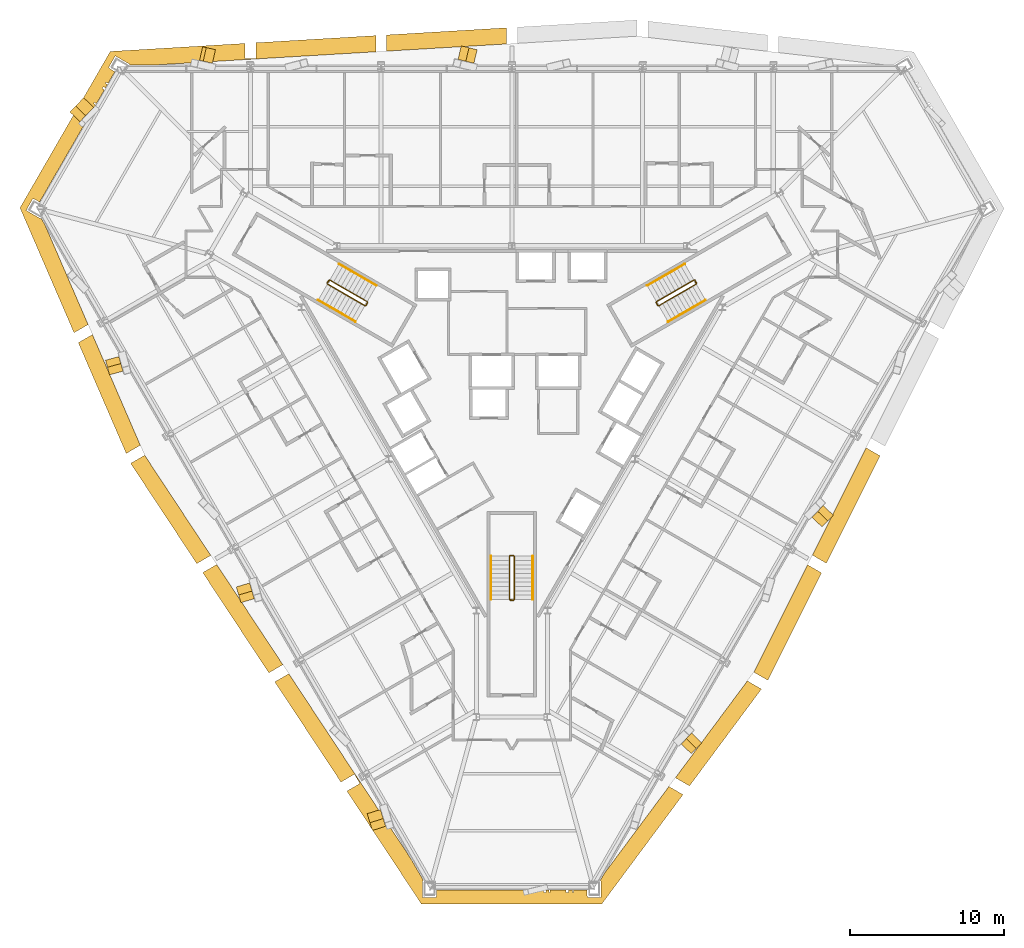
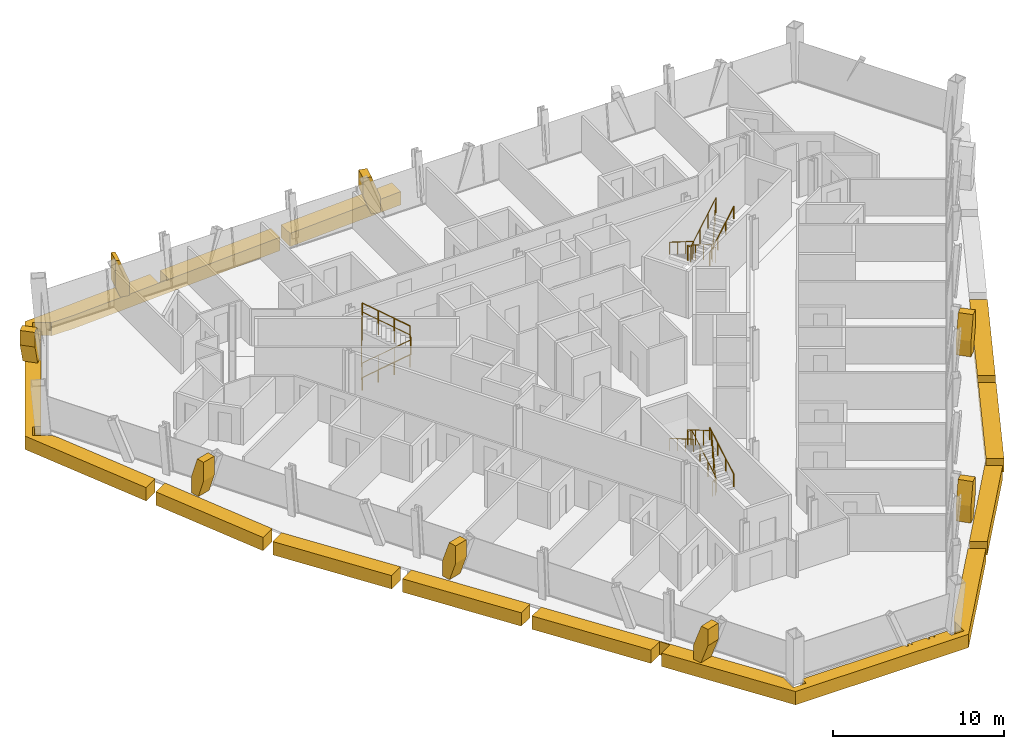
# One storey, part 14 of 15: 17 coverings, 9 railings.
"""IFC4 building model written with IfcOpenShell, lengths in metres."""

from ifc_helpers import new_model, si_unit, direction, frame, origin, origin_2d, place, context, subcontext, project, spatial, polyline, circle, outline, extrude, material, layer, layer_set, type_object, element, save


model = new_model("IFC4")

# Units and contexts
model_context = context("Model", 3, precision=1e-05, world=origin(), true_north=direction((0.0, 1.0)))
body_context = subcontext(model_context, "Body", "Model", "MODEL_VIEW")
ifc_project = project(units=[si_unit("LENGTHUNIT", "METRE"), si_unit("AREAUNIT", "SQUARE_METRE"), si_unit("VOLUMEUNIT", "CUBIC_METRE"), si_unit("PLANEANGLEUNIT", "RADIAN"), si_unit("MASSUNIT", "GRAM", prefix="KILO")], contexts=[model_context])

# Site, building, storey
site_placement = place(None, origin())
site = spatial("IfcSite", under=ifc_project, at=site_placement, CompositionType="ELEMENT")
building_placement = place(site_placement, origin())
building = spatial("IfcBuilding", under=site, at=building_placement, Name="Verrane Prism Tower", CompositionType="ELEMENT")
storey_placement = place(building_placement, frame((0.0, 0.0, 44.0)))
storey = spatial("IfcBuildingStorey", under=building, at=storey_placement, Name="L08", CompositionType="ELEMENT", Elevation=44.0)

# Railings
ifc_material_1 = material(Name="Steel A36 rail and posts, no infill", Category="steel")
railing_type_1 = type_object("IfcRailingType", Name="Stair guard 1100 steel rail and posts", PredefinedType="GUARDRAIL", material=ifc_material_1)
railing_1_placement = place(storey_placement, frame((11.78955078125, 6.97998046875, 0.16357421875)))
element("IfcRailing", 1, at=railing_1_placement, inside=storey, type_object=railing_type_1, Name="Stair 1 guard", PredefinedType="GUARDRAIL", context=body_context, shape_type="SweptSolid", body=[
    extrude(circle(Radius=0.02392578125, at=origin_2d()), frame((0.0, 0.0, 1.076171875), z_axis=(-0.747665513933, -0.431721881032, 0.504591415616), x_axis=(0.500049511043, -0.865996816683, 0.0)), (0.0, 0.0, 1.0), 3.2431640625),
    extrude(circle(Radius=0.02392578125, at=origin_2d()), frame((-2.4248046875, -1.400146484375, 2.71240234375), z_axis=(-0.259601060869, -0.965715946433, 0.0), x_axis=(0.965715946433, -0.259601060869, 0.0)), (0.0, 0.0, 1.0), 0.070556640625),
    extrude(circle(Radius=0.02392578125, at=origin_2d()), frame((-2.443115234375, -1.46826171875, 2.71240234375), z_axis=(0.499158860599, -0.866510491504, 0.0), x_axis=(0.866510491504, 0.499158860599, 0.0)), (0.0, 0.0, 1.0), 0.199951171875),
    extrude(circle(Radius=0.02392578125, at=origin_2d()), frame((-2.34326171875, -1.6416015625, 2.71240234375), z_axis=(0.383552647116, -0.102737316192, 0.917786691313), x_axis=(0.258736085224, 0.965948051503, 0.0)), (0.0, 0.0, 1.0), 0.17822265625),
    extrude(circle(Radius=0.02392578125, at=origin_2d()), frame((-2.27490234375, -1.659912109375, 2.8759765625), z_axis=(0.747665513933, 0.431721881032, 0.504591415616), x_axis=(-0.500049511043, 0.865996816683, 0.0)), (0.0, 0.0, 1.0), 3.2431640625),
    extrude(circle(Radius=0.02392578125, at=origin_2d()), frame((0.14990234375, -0.259765625, 4.5126953125), z_axis=(-0.022593669287, 0.066901613547, -0.997503734436), x_axis=(-0.947430582667, -0.3199613899, 0.0)), (0.0, 0.0, 1.0), 3.609130859375),
    extrude(circle(Radius=0.02392578125, at=origin_2d()), frame((0.068359375, -0.018310546875, 0.91259765625), z_axis=(0.499158860599, -0.866510491504, 0.0), x_axis=(0.866510491504, 0.499158860599, 0.0)), (0.0, 0.0, 1.0), 0.199951171875),
    extrude(circle(Radius=0.02099609375, at=origin_2d()), origin(), (0.0, 0.0, 1.0), 1.052001953125),
    extrude(circle(Radius=0.02099609375, at=origin_2d()), frame((-0.808349609375, -0.466796875, 0.54541015625)), (0.0, 0.0, 1.0), 1.052001953125),
    extrude(circle(Radius=0.02099609375, at=origin_2d()), frame((-1.616455078125, -0.933349609375, 1.091064453125)), (0.0, 0.0, 1.0), 1.052001953125),
    extrude(circle(Radius=0.02099609375, at=origin_2d()), frame((-2.4248046875, -1.400146484375, 1.636474609375)), (0.0, 0.0, 1.0), 1.052001953125),
    extrude(circle(Radius=0.02099609375, at=origin_2d()), frame((-2.443115234375, -1.46826171875, 1.636474609375)), (0.0, 0.0, 1.0), 1.052001953125),
    extrude(circle(Radius=0.02099609375, at=origin_2d()), frame((-2.34326171875, -1.6416015625, 1.636474609375)), (0.0, 0.0, 1.0), 1.052001953125),
    extrude(circle(Radius=0.02099609375, at=origin_2d()), frame((-2.27490234375, -1.659912109375, 1.800048828125)), (0.0, 0.0, 1.0), 1.052001953125),
    extrude(circle(Radius=0.02099609375, at=origin_2d()), frame((-1.466552734375, -1.193115234375, 2.345458984375)), (0.0, 0.0, 1.0), 1.052001953125),
    extrude(circle(Radius=0.02099609375, at=origin_2d()), frame((-0.658447265625, -0.7265625, 2.89111328125)), (0.0, 0.0, 1.0), 1.052001953125),
    extrude(circle(Radius=0.02099609375, at=origin_2d()), frame((0.14990234375, -0.259765625, 3.4365234375)), (0.0, 0.0, 1.0), 1.052001953125),
    extrude(circle(Radius=0.02099609375, at=origin_2d()), frame((0.12939453125, -0.199462890625, 2.53662109375)), (0.0, 0.0, 1.0), 1.052001953125),
    extrude(circle(Radius=0.02099609375, at=origin_2d()), frame((0.109130859375, -0.13916015625, 1.636474609375)), (0.0, 0.0, 1.0), 1.052001953125),
    extrude(circle(Radius=0.02099609375, at=origin_2d()), frame((0.0888671875, -0.07861328125, 0.736328125)), (0.0, 0.0, 1.0), 1.052001953125),
    extrude(circle(Radius=0.02099609375, at=origin_2d()), frame((0.068359375, -0.018310546875, -0.16357421875)), (0.0, 0.0, 1.0), 1.052001953125),
    extrude(circle(Radius=0.02099609375, at=origin_2d()), frame((0.168212890625, -0.191650390625, -0.16357421875)), (0.0, 0.0, 1.0), 1.052001953125),
])
railing_2_placement = place(storey_placement, frame((-11.939453125, 6.72021484375, 0.16357421875)))
element("IfcRailing", 2, at=railing_2_placement, inside=storey, type_object=railing_type_1, Name="Stair 2 guard", PredefinedType="GUARDRAIL", context=body_context, shape_type="SweptSolid", body=[
    extrude(circle(Radius=0.02392578125, at=origin_2d()), frame((0.0, 0.0, 1.076171875), z_axis=(0.747665513933, -0.431721881032, 0.504591415616), x_axis=(0.500049511043, 0.865996816683, 0.0)), (0.0, 0.0, 1.0), 3.2431640625),
    extrude(circle(Radius=0.02392578125, at=origin_2d()), frame((2.4248046875, -1.400146484375, 2.71240234375), z_axis=(0.965948051503, 0.258736085224, 0.0), x_axis=(-0.258736085224, 0.965948051503, 0.0)), (0.0, 0.0, 1.0), 0.07080078125),
    extrude(circle(Radius=0.02392578125, at=origin_2d()), frame((2.4931640625, -1.3818359375, 2.71240234375), z_axis=(0.499158860599, 0.866510491504, 0.0), x_axis=(-0.866510491504, 0.499158860599, 0.0)), (0.0, 0.0, 1.0), 0.199951171875),
    extrude(circle(Radius=0.02392578125, at=origin_2d()), frame((2.593017578125, -1.20849609375, 2.71240234375), z_axis=(-0.102791240646, 0.382383415203, 0.918268416436), x_axis=(-0.965715946433, -0.259601060869, 0.0)), (0.0, 0.0, 1.0), 0.17822265625),
    extrude(circle(Radius=0.02392578125, at=origin_2d()), frame((2.57470703125, -1.140380859375, 2.8759765625), z_axis=(-0.747665513933, 0.431721881032, 0.504591415616), x_axis=(-0.500049511043, -0.865996816683, 0.0)), (0.0, 0.0, 1.0), 3.2431640625),
    extrude(circle(Radius=0.02392578125, at=origin_2d()), frame((0.14990234375, 0.259765625, 4.5126953125), z_axis=(-0.046607763296, -0.053101733218, -0.99750083826), x_axis=(0.751567565678, -0.659656118156, 0.0)), (0.0, 0.0, 1.0), 3.609130859375),
    extrude(circle(Radius=0.02392578125, at=origin_2d()), frame((-0.018310546875, 0.068115234375, 0.91259765625), z_axis=(0.499158860599, 0.866510491504, 0.0), x_axis=(-0.866510491504, 0.499158860599, 0.0)), (0.0, 0.0, 1.0), 0.199951171875),
    extrude(circle(Radius=0.02099609375, at=origin_2d()), origin(), (0.0, 0.0, 1.0), 1.052001953125),
    extrude(circle(Radius=0.02099609375, at=origin_2d()), frame((0.808349609375, -0.466796875, 0.54541015625)), (0.0, 0.0, 1.0), 1.052001953125),
    extrude(circle(Radius=0.02099609375, at=origin_2d()), frame((1.616455078125, -0.933349609375, 1.091064453125)), (0.0, 0.0, 1.0), 1.052001953125),
    extrude(circle(Radius=0.02099609375, at=origin_2d()), frame((2.4248046875, -1.400146484375, 1.636474609375)), (0.0, 0.0, 1.0), 1.052001953125),
    extrude(circle(Radius=0.02099609375, at=origin_2d()), frame((2.4931640625, -1.3818359375, 1.636474609375)), (0.0, 0.0, 1.0), 1.052001953125),
    extrude(circle(Radius=0.02099609375, at=origin_2d()), frame((2.593017578125, -1.20849609375, 1.636474609375)), (0.0, 0.0, 1.0), 1.052001953125),
    extrude(circle(Radius=0.02099609375, at=origin_2d()), frame((2.57470703125, -1.140380859375, 1.800048828125)), (0.0, 0.0, 1.0), 1.052001953125),
    extrude(circle(Radius=0.02099609375, at=origin_2d()), frame((1.766357421875, -0.673583984375, 2.345458984375)), (0.0, 0.0, 1.0), 1.052001953125),
    extrude(circle(Radius=0.02099609375, at=origin_2d()), frame((0.958251953125, -0.20703125, 2.89111328125)), (0.0, 0.0, 1.0), 1.052001953125),
    extrude(circle(Radius=0.02099609375, at=origin_2d()), frame((0.14990234375, 0.259765625, 3.4365234375)), (0.0, 0.0, 1.0), 1.052001953125),
    extrude(circle(Radius=0.02099609375, at=origin_2d()), frame((0.10791015625, 0.2119140625, 2.53662109375)), (0.0, 0.0, 1.0), 1.052001953125),
    extrude(circle(Radius=0.02099609375, at=origin_2d()), frame((0.06591796875, 0.1640625, 1.636474609375)), (0.0, 0.0, 1.0), 1.052001953125),
    extrude(circle(Radius=0.02099609375, at=origin_2d()), frame((0.023681640625, 0.115966796875, 0.736328125)), (0.0, 0.0, 1.0), 1.052001953125),
    extrude(circle(Radius=0.02099609375, at=origin_2d()), frame((-0.018310546875, 0.068115234375, -0.16357421875)), (0.0, 0.0, 1.0), 1.052001953125),
    extrude(circle(Radius=0.02099609375, at=origin_2d()), frame((0.08154296875, 0.241455078125, -0.16357421875)), (0.0, 0.0, 1.0), 1.052001953125),
])
railing_3_placement = place(storey_placement, frame((0.14990234375, -13.699951171875, 0.16357421875)))
element("IfcRailing", 3, at=railing_3_placement, inside=storey, type_object=railing_type_1, Name="Stair 3 guard", PredefinedType="GUARDRAIL", context=body_context, shape_type="SweptSolid", body=[
    extrude(circle(Radius=0.02392578125, at=origin_2d()), frame((0.0, 0.0, 1.076171875), z_axis=(0.0, 0.863360870873, 0.504586966384), x_axis=(-1.0, 0.0, 0.0)), (0.0, 0.0, 1.0), 3.2431640625),
    extrude(circle(Radius=0.02392578125, at=origin_2d()), frame((0.0, 2.800048828125, 2.71240234375), z_axis=(-0.707106781187, 0.707106781187, 0.0), x_axis=(-0.707106781187, -0.707106781187, 0.0)), (0.0, 0.0, 1.0), 0.0703125),
    extrude(circle(Radius=0.02392578125, at=origin_2d()), frame((-0.0498046875, 2.849853515625, 2.71240234375), z_axis=(-1.0, 0.0, 0.0), x_axis=(0.0, -1.0, 0.0)), (0.0, 0.0, 1.0), 0.2001953125),
    extrude(circle(Radius=0.02392578125, at=origin_2d()), frame((-0.25, 2.849853515625, 2.71240234375), z_axis=(-0.279653641804, -0.279653641804, 0.918470294159), x_axis=(0.707106781187, -0.707106781187, 0.0)), (0.0, 0.0, 1.0), 0.177978515625),
    extrude(circle(Radius=0.02392578125, at=origin_2d()), frame((-0.2998046875, 2.800048828125, 2.8759765625), z_axis=(0.0, -0.863360870873, 0.504586966384), x_axis=(1.0, 0.0, 0.0)), (0.0, 0.0, 1.0), 3.2431640625),
    extrude(circle(Radius=0.02392578125, at=origin_2d()), frame((-0.2998046875, 0.0, 4.5126953125), z_axis=(0.069269067181, -0.013867342551, -0.997501625634), x_axis=(0.196300278283, 0.98054382908, 0.0)), (0.0, 0.0, 1.0), 3.609130859375),
    extrude(circle(Radius=0.02392578125, at=origin_2d()), frame((-0.0498046875, -0.050048828125, 0.91259765625), z_axis=(-1.0, 0.0, 0.0), x_axis=(0.0, -1.0, 0.0)), (0.0, 0.0, 1.0), 0.2001953125),
    extrude(circle(Radius=0.02099609375, at=origin_2d()), origin(), (0.0, 0.0, 1.0), 1.052001953125),
    extrude(circle(Radius=0.02099609375, at=origin_2d()), frame((0.0, 0.933349609375, 0.54541015625)), (0.0, 0.0, 1.0), 1.052001953125),
    extrude(circle(Radius=0.02099609375, at=origin_2d()), frame((0.0, 1.86669921875, 1.091064453125)), (0.0, 0.0, 1.0), 1.052001953125),
    extrude(circle(Radius=0.02099609375, at=origin_2d()), frame((0.0, 2.800048828125, 1.636474609375)), (0.0, 0.0, 1.0), 1.052001953125),
    extrude(circle(Radius=0.02099609375, at=origin_2d()), frame((-0.0498046875, 2.849853515625, 1.636474609375)), (0.0, 0.0, 1.0), 1.052001953125),
    extrude(circle(Radius=0.02099609375, at=origin_2d()), frame((-0.25, 2.849853515625, 1.636474609375)), (0.0, 0.0, 1.0), 1.052001953125),
    extrude(circle(Radius=0.02099609375, at=origin_2d()), frame((-0.2998046875, 2.800048828125, 1.800048828125)), (0.0, 0.0, 1.0), 1.052001953125),
    extrude(circle(Radius=0.02099609375, at=origin_2d()), frame((-0.2998046875, 1.86669921875, 2.345458984375)), (0.0, 0.0, 1.0), 1.052001953125),
    extrude(circle(Radius=0.02099609375, at=origin_2d()), frame((-0.2998046875, 0.933349609375, 2.89111328125)), (0.0, 0.0, 1.0), 1.052001953125),
    extrude(circle(Radius=0.02099609375, at=origin_2d()), frame((-0.2998046875, 0.0, 3.4365234375)), (0.0, 0.0, 1.0), 1.052001953125),
    extrude(circle(Radius=0.02099609375, at=origin_2d()), frame((-0.2373046875, -0.012451171875, 2.53662109375)), (0.0, 0.0, 1.0), 1.052001953125),
    extrude(circle(Radius=0.02099609375, at=origin_2d()), frame((-0.1748046875, -0.02490234375, 1.636474609375)), (0.0, 0.0, 1.0), 1.052001953125),
    extrude(circle(Radius=0.02099609375, at=origin_2d()), frame((-0.1123046875, -0.03759765625, 0.736328125)), (0.0, 0.0, 1.0), 1.052001953125),
    extrude(circle(Radius=0.02099609375, at=origin_2d()), frame((-0.0498046875, -0.050048828125, -0.16357421875)), (0.0, 0.0, 1.0), 1.052001953125),
    extrude(circle(Radius=0.02099609375, at=origin_2d()), frame((-0.25, -0.050048828125, -0.16357421875)), (0.0, 0.0, 1.0), 1.052001953125),
])
ifc_material_2 = material(Name="Steel A36 tube", Category="steel")
railing_type_2 = type_object("IfcRailingType", Name="Stair handrail 900 steel tube", PredefinedType="HANDRAIL", material=ifc_material_2)
railing_4_placement = place(storey_placement, frame((11.189453125, 8.01904296875, 0.16357421875)))
element("IfcRailing", 4, at=railing_4_placement, inside=storey, type_object=railing_type_2, Name="Stair 1 handrail", PredefinedType="HANDRAIL", context=body_context, shape_type="SweptSolid", body=[
    extrude(circle(Radius=0.02392578125, at=origin_2d()), frame((0.0, 0.0, 0.8759765625), z_axis=(-0.747689811644, -0.431660630283, 0.504607813879), x_axis=(0.49998411664, -0.866034573852, 0.0)), (0.0, 0.0, 1.0), 3.2431640625),
    extrude(circle(Radius=0.02099609375, at=origin_2d()), origin(), (0.0, 0.0, 1.0), 0.851806640625),
    extrude(circle(Radius=0.02099609375, at=origin_2d()), frame((-0.808349609375, -0.466552734375, 0.54541015625)), (0.0, 0.0, 1.0), 0.851806640625),
    extrude(circle(Radius=0.02099609375, at=origin_2d()), frame((-1.616455078125, -0.933349609375, 1.091064453125)), (0.0, 0.0, 1.0), 0.851806640625),
    extrude(circle(Radius=0.02099609375, at=origin_2d()), frame((-2.4248046875, -1.39990234375, 1.636474609375)), (0.0, 0.0, 1.0), 0.851806640625),
])
railing_5_placement = place(storey_placement, frame((10.11474609375, 4.28076171875, 1.963623046875)))
element("IfcRailing", 5, at=railing_5_placement, inside=storey, type_object=railing_type_2, Name="Stair 1 handrail", PredefinedType="HANDRAIL", context=body_context, shape_type="SweptSolid", body=[
    extrude(circle(Radius=0.02392578125, at=origin_2d()), frame((0.0, 0.0, 0.8759765625), z_axis=(0.747665513933, 0.431721881032, 0.504591415616), x_axis=(-0.500049511043, 0.865996816683, 0.0)), (0.0, 0.0, 1.0), 3.2431640625),
    extrude(circle(Radius=0.02099609375, at=origin_2d()), origin(), (0.0, 0.0, 1.0), 0.851806640625),
    extrude(circle(Radius=0.02099609375, at=origin_2d()), frame((0.808349609375, 0.466796875, 0.54541015625)), (0.0, 0.0, 1.0), 0.851806640625),
    extrude(circle(Radius=0.02099609375, at=origin_2d()), frame((1.616455078125, 0.933349609375, 1.091064453125)), (0.0, 0.0, 1.0), 0.851806640625),
    extrude(circle(Radius=0.02099609375, at=origin_2d()), frame((2.4248046875, 1.400146484375, 1.636474609375)), (0.0, 0.0, 1.0), 0.851806640625),
])
railing_6_placement = place(storey_placement, frame((-12.53955078125, 5.680908203125, 0.16357421875)))
element("IfcRailing", 6, at=railing_6_placement, inside=storey, type_object=railing_type_2, Name="Stair 2 handrail", PredefinedType="HANDRAIL", context=body_context, shape_type="SweptSolid", body=[
    extrude(circle(Radius=0.02392578125, at=origin_2d()), frame((0.0, 0.0, 0.8759765625), z_axis=(0.747665513933, -0.431721881032, 0.504591415616), x_axis=(0.500049511043, 0.865996816683, 0.0)), (0.0, 0.0, 1.0), 3.2431640625),
    extrude(circle(Radius=0.02099609375, at=origin_2d()), origin(), (0.0, 0.0, 1.0), 0.851806640625),
    extrude(circle(Radius=0.02099609375, at=origin_2d()), frame((0.808349609375, -0.466796875, 0.54541015625)), (0.0, 0.0, 1.0), 0.851806640625),
    extrude(circle(Radius=0.02099609375, at=origin_2d()), frame((1.616455078125, -0.933349609375, 1.091064453125)), (0.0, 0.0, 1.0), 0.851806640625),
    extrude(circle(Radius=0.02099609375, at=origin_2d()), frame((2.4248046875, -1.400146484375, 1.636474609375)), (0.0, 0.0, 1.0), 0.851806640625),
])
railing_7_placement = place(storey_placement, frame((-8.7646484375, 6.619140625, 1.963623046875)))
element("IfcRailing", 7, at=railing_7_placement, inside=storey, type_object=railing_type_2, Name="Stair 2 handrail", PredefinedType="HANDRAIL", context=body_context, shape_type="SweptSolid", body=[
    extrude(circle(Radius=0.02392578125, at=origin_2d()), frame((0.0, 0.0, 0.8759765625), z_axis=(-0.747689811644, 0.431660630283, 0.504607813879), x_axis=(-0.49998411664, -0.866034573852, 0.0)), (0.0, 0.0, 1.0), 3.2431640625),
    extrude(circle(Radius=0.02099609375, at=origin_2d()), origin(), (0.0, 0.0, 1.0), 0.851806640625),
    extrude(circle(Radius=0.02099609375, at=origin_2d()), frame((-0.808349609375, 0.466552734375, 0.54541015625)), (0.0, 0.0, 1.0), 0.851806640625),
    extrude(circle(Radius=0.02099609375, at=origin_2d()), frame((-1.616455078125, 0.933349609375, 1.091064453125)), (0.0, 0.0, 1.0), 0.851806640625),
    extrude(circle(Radius=0.02099609375, at=origin_2d()), frame((-2.4248046875, 1.39990234375, 1.636474609375)), (0.0, 0.0, 1.0), 0.851806640625),
])
railing_8_placement = place(storey_placement, frame((1.35009765625, -13.699951171875, 0.16357421875)))
element("IfcRailing", 8, at=railing_8_placement, inside=storey, type_object=railing_type_2, Name="Stair 3 handrail", PredefinedType="HANDRAIL", context=body_context, shape_type="SweptSolid", body=[
    extrude(circle(Radius=0.02392578125, at=origin_2d()), frame((0.0, 0.0, 0.8759765625), z_axis=(0.0, 0.863360870873, 0.504586966384), x_axis=(-1.0, 0.0, 0.0)), (0.0, 0.0, 1.0), 3.2431640625),
    extrude(circle(Radius=0.02099609375, at=origin_2d()), origin(), (0.0, 0.0, 1.0), 0.851806640625),
    extrude(circle(Radius=0.02099609375, at=origin_2d()), frame((0.0, 0.933349609375, 0.54541015625)), (0.0, 0.0, 1.0), 0.851806640625),
    extrude(circle(Radius=0.02099609375, at=origin_2d()), frame((0.0, 1.86669921875, 1.091064453125)), (0.0, 0.0, 1.0), 0.851806640625),
    extrude(circle(Radius=0.02099609375, at=origin_2d()), frame((0.0, 2.800048828125, 1.636474609375)), (0.0, 0.0, 1.0), 0.851806640625),
])
railing_9_placement = place(storey_placement, frame((-1.35009765625, -10.89990234375, 1.963623046875)))
element("IfcRailing", 9, at=railing_9_placement, inside=storey, type_object=railing_type_2, Name="Stair 3 handrail", PredefinedType="HANDRAIL", context=body_context, shape_type="SweptSolid", body=[
    extrude(circle(Radius=0.02392578125, at=origin_2d()), frame((0.0, 0.0, 0.8759765625), z_axis=(0.0, -0.863360870873, 0.504586966384), x_axis=(1.0, 0.0, 0.0)), (0.0, 0.0, 1.0), 3.2431640625),
    extrude(circle(Radius=0.02099609375, at=origin_2d()), origin(), (0.0, 0.0, 1.0), 0.851806640625),
    extrude(circle(Radius=0.02099609375, at=origin_2d()), frame((0.0, -0.933349609375, 0.54541015625)), (0.0, 0.0, 1.0), 0.851806640625),
    extrude(circle(Radius=0.02099609375, at=origin_2d()), frame((0.0, -1.86669921875, 1.091064453125)), (0.0, 0.0, 1.0), 0.851806640625),
    extrude(circle(Radius=0.02099609375, at=origin_2d()), frame((0.0, -2.800048828125, 1.636474609375)), (0.0, 0.0, 1.0), 0.851806640625),
])

# Coverings
ifc_material_3 = material(Name="Warm limestone cladding", Category="masonry")
ifc_layer_1 = layer(ifc_material_3, 0.89990234375)
ifc_layer_set_1 = layer_set([ifc_layer_1], Name="Stone brace fin 900")
covering_type_1 = type_object("IfcCoveringType", Name="Stone brace fin 900", PredefinedType="CLADDING", material=ifc_layer_set_1)
covering_1_placement = place(storey_placement, frame((-2.352294921875, 21.4541015625, 0.0), z_axis=(0.0, 0.0, 1.0), x_axis=(-0.971829280398, 0.23568591337, 0.0)))
element("IfcCovering", 10, at=covering_1_placement, inside=storey, type_object=covering_type_1, Name="Stone brace fin N4 L08", PredefinedType="CLADDING", context=body_context, shape_type="SweptSolid", body=[
    extrude(outline(polyline([(1.0576171875, 2.64990234375), (0.539794921875, 2.64990234375), (0.0, 1.1142578125), (0.0, 0.0), (0.562255859375, 0.0), (1.0576171875, 1.40869140625), (1.0576171875, 2.64990234375)])), frame((0.0, 0.449951171875, 0.0), z_axis=(0.0, -1.0, 0.0), x_axis=(1.0, 0.0, 0.0)), (0.0, 0.0, 1.0), 0.89990234375),
])
covering_2_placement = place(storey_placement, frame((-19.288330078125, 21.456787109375, 0.0), z_axis=(0.0, 0.0, 1.0), x_axis=(-0.975506637514, 0.219969998333, 0.0)))
element("IfcCovering", 11, at=covering_2_placement, inside=storey, type_object=covering_type_1, Name="Stone brace fin N6 L08", PredefinedType="CLADDING", context=body_context, shape_type="SweptSolid", body=[
    extrude(outline(polyline([(0.85009765625, 2.64990234375), (0.609130859375, 2.64990234375), (0.0, 1.03369140625), (0.0, 0.0), (0.572265625, 0.0), (0.85009765625, 0.7373046875), (0.85009765625, 2.64990234375)])), frame((0.0, 0.449951171875, 0.0), z_axis=(0.0, -1.0, 0.0), x_axis=(1.0, 0.0, 0.0)), (0.0, 0.0, 1.0), 0.89990234375),
])
covering_3_placement = place(storey_placement, frame((-25.873291015625, 1.90771484375, 0.0), z_axis=(0.0, 0.0, 1.0), x_axis=(0.265793296086, -0.964030042974, 0.0)))
element("IfcCovering", 12, at=covering_3_placement, inside=storey, type_object=covering_type_1, Name="Stone brace fin SW2 L08", PredefinedType="CLADDING", context=body_context, shape_type="SweptSolid", body=[
    extrude(outline(polyline([(0.97998046875, 2.64990234375), (0.46923828125, 2.64990234375), (0.0, 1.2099609375), (0.0, 0.0), (0.55224609375, 0.0), (0.97998046875, 1.31298828125), (0.97998046875, 2.64990234375)])), frame((0.0, 0.449951171875, 0.0), z_axis=(0.0, -1.0, 0.0), x_axis=(1.0, 0.0, 0.0)), (0.0, 0.0, 1.0), 0.89990234375),
])
covering_4_placement = place(storey_placement, frame((-17.406494140625, -12.759521484375, 0.0), z_axis=(0.0, 0.0, 1.0), x_axis=(0.280397454919, -0.959883986362, 0.0)))
element("IfcCovering", 13, at=covering_4_placement, inside=storey, type_object=covering_type_1, Name="Stone brace fin SW4 L08", PredefinedType="CLADDING", context=body_context, shape_type="SweptSolid", body=[
    extrude(outline(polyline([(1.061279296875, 2.64990234375), (0.543212890625, 2.64990234375), (0.0, 1.110107421875), (0.0, 0.0), (0.562744140625, 0.0), (1.061279296875, 1.4130859375), (1.061279296875, 2.64990234375)])), frame((0.0, 0.449951171875, 0.0), z_axis=(0.0, -1.0, 0.0), x_axis=(1.0, 0.0, 0.0)), (0.0, 0.0, 1.0), 0.89990234375),
])
covering_5_placement = place(storey_placement, frame((-8.938720703125, -27.4365234375, 0.0), z_axis=(0.0, 0.0, 1.0), x_axis=(0.299524440625, -0.95408862768, 0.0)))
element("IfcCovering", 14, at=covering_5_placement, inside=storey, type_object=covering_type_1, Name="Stone brace fin SW6 L08", PredefinedType="CLADDING", context=body_context, shape_type="SweptSolid", body=[
    extrude(outline(polyline([(1.134765625, 2.64990234375), (0.610107421875, 2.64990234375), (0.0, 1.032470703125), (0.0, 0.0), (0.572509765625, 0.0), (1.134765625, 1.490478515625), (1.134765625, 2.64990234375)])), frame((0.0, 0.449951171875, 0.0), z_axis=(0.0, -1.0, 0.0), x_axis=(1.0, 0.0, 0.0)), (0.0, 0.0, 1.0), 0.89990234375),
])
covering_6_placement = place(storey_placement, frame((11.285888671875, -23.360107421875, 0.0), z_axis=(0.0, 0.0, 1.0), x_axis=(0.702978708618, 0.711210893638, 0.0)))
element("IfcCovering", 15, at=covering_6_placement, inside=storey, type_object=covering_type_1, Name="Stone brace fin SE2 L08", PredefinedType="CLADDING", context=body_context, shape_type="SweptSolid", body=[
    extrude(outline(polyline([(0.978759765625, 2.64990234375), (0.4677734375, 2.64990234375), (0.0, 1.2119140625), (0.0, 0.0), (0.552001953125, 0.0), (0.978759765625, 1.31103515625), (0.978759765625, 2.64990234375)])), frame((0.0, 0.449951171875, 0.0), z_axis=(0.0, -1.0, 0.0), x_axis=(1.0, 0.0, 0.0)), (0.0, 0.0, 1.0), 0.89990234375),
])
covering_7_placement = place(storey_placement, frame((19.756591796875, -8.689208984375, 0.0), z_axis=(0.0, 0.0, 1.0), x_axis=(0.692951279235, 0.720984413567, 0.0)))
element("IfcCovering", 16, at=covering_7_placement, inside=storey, type_object=covering_type_1, Name="Stone brace fin SE4 L08", PredefinedType="CLADDING", context=body_context, shape_type="SweptSolid", body=[
    extrude(outline(polyline([(1.053955078125, 2.64990234375), (0.53662109375, 2.64990234375), (0.0, 1.118408203125), (0.0, 0.0), (0.561767578125, 0.0), (1.053955078125, 1.404541015625), (1.053955078125, 2.64990234375)])), frame((0.0, 0.449951171875, 0.0), z_axis=(0.0, -1.0, 0.0), x_axis=(1.0, 0.0, 0.0)), (0.0, 0.0, 1.0), 0.89990234375),
])
covering_8_placement = place(storey_placement, frame((-27.3994140625, 18.47412109375, 0.0), z_axis=(0.0, 0.0, 1.0), x_axis=(-0.691702596536, -0.722182468595, 0.0)))
element("IfcCovering", 17, at=covering_8_placement, inside=storey, type_object=covering_type_1, Name="Stone brace fin NW1 L08", PredefinedType="CLADDING", context=body_context, shape_type="SweptSolid", body=[
    extrude(outline(polyline([(1.281494140625, 2.64990234375), (0.746337890625, 2.64990234375), (0.0, 0.9013671875), (0.0, 0.0), (0.593994140625, 0.0), (1.281494140625, 1.611572265625), (1.281494140625, 2.64990234375)])), frame((0.0, 0.449951171875, 0.0), z_axis=(0.0, -1.0, 0.0), x_axis=(1.0, 0.0, 0.0)), (0.0, 0.0, 1.0), 0.89990234375),
])
ifc_material_4 = material(Name="Warm limestone cladding", Category="masonry")
ifc_layer_2 = layer(ifc_material_4, 0.449951171875)
ifc_layer_set_2 = layer_set([ifc_layer_2], Name="Stone spandrel band 450")
covering_type_2 = type_object("IfcCoveringType", Name="Stone spandrel band 450", PredefinedType="CLADDING", material=ifc_layer_set_2)
covering_9_placement = place(storey_placement, frame((0.0, 0.0, -0.949951171875)))
element("IfcCovering", 18, at=covering_9_placement, inside=storey, type_object=covering_type_2, Name="Stone spandrel band L08 part 1", PredefinedType="CLADDING", context=body_context, shape_type="SweptSolid", body=[
    extrude(outline(polyline([(5.826171875, -33.406494140625), (11.080322265625, -26.334716796875), (10.16796875, -25.80810546875), (5.99072265625, -31.430419921875), (5.737060546875, -31.86962890625), (5.771728515625, -31.947509765625), (5.771728515625, -32.983642578125), (4.922119140625, -32.983642578125), (4.871826171875, -32.87060546875), (4.871826171875, -32.493408203125), (3.998779296875, -32.493408203125), (3.998779296875, -32.659912109375), (3.911376953125, -32.659912109375), (3.911376953125, -32.493408203125), (3.66015625, -32.493408203125), (3.66015625, -32.659912109375), (3.514892578125, -32.659912109375), (3.514892578125, -32.493408203125), (2.484619140625, -32.493408203125), (2.484619140625, -32.659912109375), (2.39697265625, -32.659912109375), (2.39697265625, -32.493408203125), (2.18017578125, -32.493408203125), (2.21826171875, -32.651611328125), (2.075439453125, -32.68603515625), (2.029052734375, -32.493408203125), (-4.871826171875, -32.493408203125), (-4.871826171875, -32.87060546875), (-4.922119140625, -32.983642578125), (-5.771728515625, -32.983642578125), (-5.771728515625, -31.947509765625), (-5.737060546875, -31.86962890625), (-6.531982421875, -30.49267578125), (-14.43994140625, -18.5078125), (-15.34765625, -19.031982421875), (-11.0673828125, -25.51904296875), (-10.188720703125, -25.01171875), (-9.838623046875, -25.617919921875), (-10.68115234375, -26.1044921875), (-5.86328125, -33.406494140625), (5.826171875, -33.406494140625)])), origin(), (0.0, 0.0, 1.0), 0.949951171875),
])
covering_10_placement = place(storey_placement, frame((0.0, 0.0, -0.949951171875)))
element("IfcCovering", 19, at=covering_10_placement, inside=storey, type_object=covering_type_2, Name="Stone spandrel band L08 part 3", PredefinedType="CLADDING", context=body_context, shape_type="SweptSolid", body=[
    extrude(outline(polyline([(-27.4345703125, 4.098388671875), (-30.21484375, 10.527099609375), (-30.46875, 10.966552734375), (-30.550537109375, 10.974853515625), (-31.4482421875, 11.492919921875), (-31.0234375, 12.228515625), (-30.898193359375, 12.216064453125), (-30.574951171875, 12.029541015625), (-27.1240234375, 18.006591796875), (-27.2646484375, 18.14111328125), (-27.162841796875, 18.24755859375), (-27.04833984375, 18.137939453125), (-26.9404296875, 18.32470703125), (-27.081298828125, 18.406005859375), (-27.03759765625, 18.481689453125), (-26.896728515625, 18.400390625), (-26.381591796875, 19.29296875), (-26.522216796875, 19.374267578125), (-26.44970703125, 19.5), (-26.308837890625, 19.418701171875), (-26.183349609375, 19.635986328125), (-26.32421875, 19.71728515625), (-26.280517578125, 19.793212890625), (-26.1396484375, 19.7119140625), (-25.703125, 20.468017578125), (-26.026123046875, 20.654541015625), (-26.101318359375, 20.7548828125), (-25.676513671875, 21.49072265625), (-24.779296875, 20.97265625), (-24.72705078125, 20.9033203125), (-23.141357421875, 20.9033203125), (-8.80810546875, 21.75927734375), (-8.80810546875, 22.8076171875), (-16.56640625, 22.34423828125), (-16.56640625, 21.331298828125), (-17.2666015625, 21.331298828125), (-17.2666015625, 22.302490234375), (-25.999267578125, 21.781005859375), (-31.843994140625, 11.65771484375), (-28.3466796875, 3.571533203125), (-27.4345703125, 4.098388671875)])), origin(), (0.0, 0.0, 1.0), 0.949951171875),
])
covering_11_placement = place(storey_placement, frame((0.0, 0.0, -0.949951171875)))
element("IfcCovering", 20, at=covering_11_placement, inside=storey, type_object=covering_type_2, Name="Stone spandrel band L08 part 4", PredefinedType="CLADDING", context=body_context, shape_type="SweptSolid", body=[
    extrude(outline(polyline([(-24.966796875, -4.24365234375), (-24.054443359375, -3.717041015625), (-27.15478515625, 3.451416015625), (-28.06689453125, 2.9248046875), (-24.966796875, -4.24365234375)])), origin(), (0.0, 0.0, 1.0), 0.949951171875),
])
covering_12_placement = place(storey_placement, frame((0.0, 0.0, -0.949951171875)))
element("IfcCovering", 21, at=covering_12_placement, inside=storey, type_object=covering_type_2, Name="Stone spandrel band L08 part 5", PredefinedType="CLADDING", context=body_context, shape_type="SweptSolid", body=[
    extrude(outline(polyline([(15.24609375, -18.97314453125), (10.588134765625, -25.242431640625), (11.50048828125, -25.769287109375), (16.158447265625, -19.5), (15.24609375, -18.97314453125)])), origin(), (0.0, 0.0, 1.0), 0.949951171875),
])
covering_13_placement = place(storey_placement, frame((0.0, 0.0, -0.949951171875)))
element("IfcCovering", 22, at=covering_13_placement, inside=storey, type_object=covering_type_2, Name="Stone spandrel band L08 part 7", PredefinedType="CLADDING", context=body_context, shape_type="SweptSolid", body=[
    extrude(outline(polyline([(-19.49267578125, -10.849853515625), (-23.77294921875, -4.36279296875), (-24.6806640625, -4.886962890625), (-20.400390625, -11.3740234375), (-19.49267578125, -10.849853515625)])), origin(), (0.0, 0.0, 1.0), 0.949951171875),
])
covering_14_placement = place(storey_placement, frame((0.0, 0.0, -0.949951171875)))
element("IfcCovering", 23, at=covering_14_placement, inside=storey, type_object=covering_type_2, Name="Stone spandrel band L08 part 8", PredefinedType="CLADDING", context=body_context, shape_type="SweptSolid", body=[
    extrude(outline(polyline([(-14.826171875, -17.92236328125), (-19.1064453125, -11.435302734375), (-20.01416015625, -11.95947265625), (-15.73388671875, -18.446533203125), (-14.826171875, -17.92236328125)])), origin(), (0.0, 0.0, 1.0), 0.949951171875),
])
covering_15_placement = place(storey_placement, frame((0.0, 0.0, -0.949951171875)))
element("IfcCovering", 24, at=covering_15_placement, inside=storey, type_object=covering_type_2, Name="Stone spandrel band L08 part 9", PredefinedType="CLADDING", context=body_context, shape_type="SweptSolid", body=[
    extrude(outline(polyline([(20.05029296875, -11.980224609375), (19.142578125, -11.4560546875), (15.66455078125, -18.406494140625), (16.572509765625, -18.9306640625), (20.05029296875, -11.980224609375)])), origin(), (0.0, 0.0, 1.0), 0.949951171875),
])
covering_16_placement = place(storey_placement, frame((0.0, 0.0, -0.949951171875)))
element("IfcCovering", 25, at=covering_16_placement, inside=storey, type_object=covering_type_2, Name="Stone spandrel band L08 part 10", PredefinedType="CLADDING", context=body_context, shape_type="SweptSolid", body=[
    extrude(outline(polyline([(22.934326171875, -3.878662109375), (19.456298828125, -10.8291015625), (20.3642578125, -11.353271484375), (23.842041015625, -4.402587890625), (22.934326171875, -3.878662109375)])), origin(), (0.0, 0.0, 1.0), 0.949951171875),
])
covering_17_placement = place(storey_placement, frame((0.0, 0.0, -0.949951171875)))
element("IfcCovering", 26, at=covering_17_placement, inside=storey, type_object=covering_type_2, Name="Stone spandrel band L08 part 12", PredefinedType="CLADDING", context=body_context, shape_type="SweptSolid", body=[
    extrude(outline(polyline([(-8.108154296875, 22.849365234375), (-8.108154296875, 21.801025390625), (-0.35009765625, 22.264404296875), (-0.35009765625, 23.3125), (-8.108154296875, 22.849365234375)])), origin(), (0.0, 0.0, 1.0), 0.949951171875),
])

save(model, "model.ifc")
